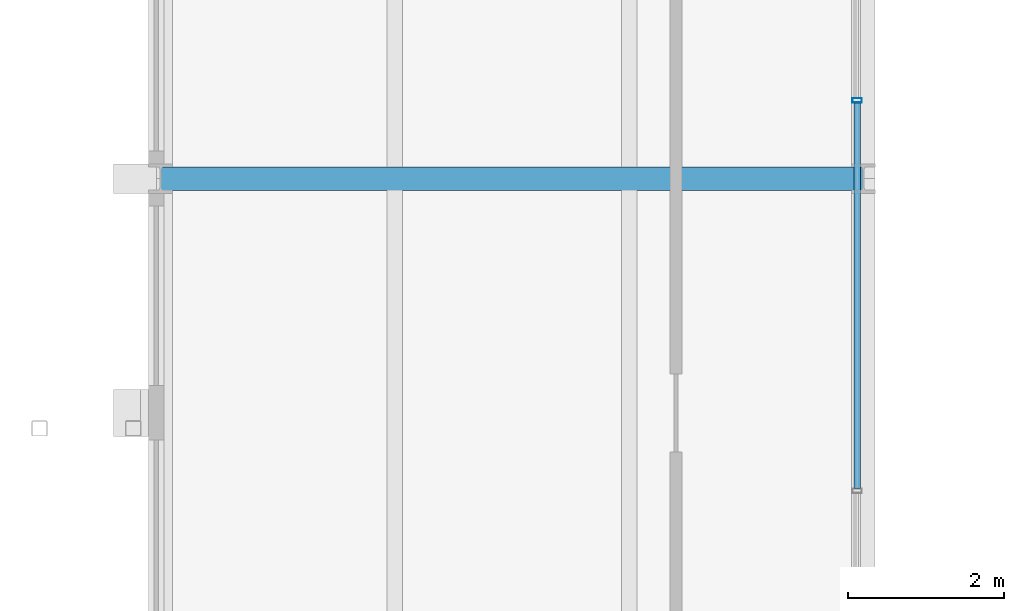
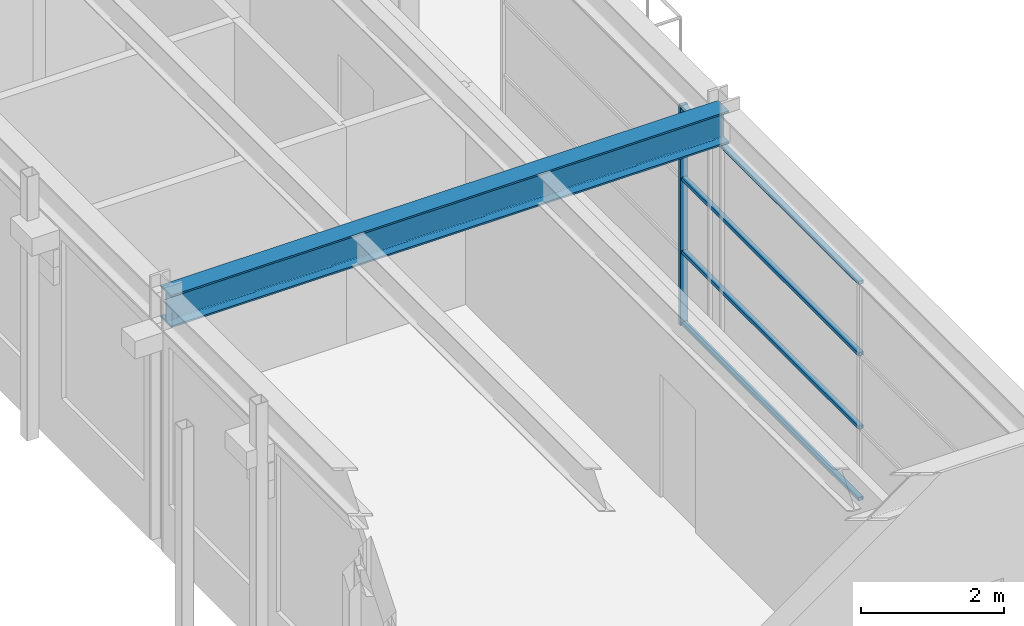
# One storey, part 36 of 153: 5 members, 1 beam, 1 element without a shape of its own.
"""IFC4 building model written with IfcOpenShell, lengths in metres."""

from ifc_helpers import new_model, si_unit, direction, frame, origin, origin_2d, place, context, subcontext, project, spatial, hollow_rectangle, i_section, extrude, material, material_profile, profile_set, type_object, element, aggregate, save


model = new_model("IFC4")

# Units and contexts
model_context = context("Model", 3, precision=1e-05, world=origin(), true_north=direction((0.0, 1.0)))
body_context = subcontext(model_context, "Body", "Model", "MODEL_VIEW")
ifc_project = project(units=[si_unit("LENGTHUNIT", "METRE"), si_unit("AREAUNIT", "SQUARE_METRE"), si_unit("VOLUMEUNIT", "CUBIC_METRE"), si_unit("PLANEANGLEUNIT", "RADIAN"), si_unit("MASSUNIT", "GRAM", prefix="KILO")], contexts=[model_context])

# Site, building, storey
site_placement = place(None, origin())
site = spatial("IfcSite", under=ifc_project, at=site_placement, CompositionType="ELEMENT")
building_placement = place(site_placement, origin())
building = spatial("IfcBuilding", under=site, at=building_placement, Name="Kallimachos Central Library", CompositionType="ELEMENT")
storey_placement = place(building_placement, frame((0.0, 0.0, 5.39990234375)))
storey = spatial("IfcBuildingStorey", under=building, at=storey_placement, Name="L01", CompositionType="ELEMENT", Elevation=5.39990234375)

# Curtain wall, members
ifc_material_1 = material(Name="Aluminium and laminated glass", Category="aluminium")
curtain_wall_type = type_object("IfcCurtainWallType", Name="Atrium glazed screen", PredefinedType="NOTDEFINED", material=ifc_material_1)
curtain_wall_placement = place(storey_placement, origin())
curtain_wall = element("IfcCurtainWall", 1, at=curtain_wall_placement, inside=storey, type_object=curtain_wall_type, Name="L01 atrium screen W", PredefinedType="NOTDEFINED")
ifc_material_2 = material(Name="Anodised aluminium", Category="aluminium")
ifc_material_profile_1 = material_profile(ifc_material_2, hollow_rectangle(XDim=0.06005859375, YDim=0.1201171875, WallThickness=0.00390625, at=origin_2d()), Name="ALU MULLION 60x120")
ifc_profile_set_1 = profile_set([ifc_material_profile_1], Name="Anodised aluminium")
member_type_1 = type_object("IfcMemberType", Name="Atrium screen mullion", PredefinedType="MULLION", material=ifc_profile_set_1)
member_1_placement = place(storey_placement, frame((74.419921875, 67.0, 0.0), z_axis=(0.0, 0.0, 1.0), x_axis=(0.0, 1.0, 0.0)))
member_1 = element("IfcMember", 2, at=member_1_placement, type_object=member_type_1, Name="CW mullion 3", PredefinedType="MULLION", context=body_context, shape_type="SweptSolid", body=[
    extrude(hollow_rectangle(XDim=0.06005859375, YDim=0.1201171875, WallThickness=0.00390625, at=origin_2d()), origin(), (0.0, 0.0, 1.0), 3.75),
])
ifc_material_3 = material(Name="Anodised aluminium", Category="aluminium")
ifc_material_profile_2 = material_profile(ifc_material_3, hollow_rectangle(XDim=0.06005859375, YDim=0.080078125, WallThickness=0.00390625, at=origin_2d()), Name="ALU TRANSOM 60x80")
ifc_profile_set_2 = profile_set([ifc_material_profile_2], Name="Anodised aluminium")
member_type_2 = type_object("IfcMemberType", Name="Atrium screen transom", PredefinedType="USERDEFINED", material=ifc_profile_set_2)
member_2_placement = place(storey_placement, frame((74.419921875, 62.030029296875, 0.030029296875), z_axis=(0.0, 1.0, 0.0), x_axis=(0.0, 0.0, 1.0)))
member_2 = element("IfcMember", 3, at=member_2_placement, type_object=member_type_2, Name="CW transom 2.1", ObjectType="TRANSOM", PredefinedType="USERDEFINED", context=body_context, shape_type="SweptSolid", body=[
    extrude(hollow_rectangle(XDim=0.06005859375, YDim=0.080078125, WallThickness=0.00390625, at=origin_2d()), origin(), (0.0, 0.0, 1.0), 4.93994140625),
])
member_3_placement = place(storey_placement, frame((74.419921875, 62.030029296875, 1.25), z_axis=(0.0, 1.0, 0.0), x_axis=(0.0, 0.0, 1.0)))
member_3 = element("IfcMember", 4, at=member_3_placement, type_object=member_type_2, Name="CW transom 2.2", ObjectType="TRANSOM", PredefinedType="USERDEFINED", context=body_context, shape_type="SweptSolid", body=[
    extrude(hollow_rectangle(XDim=0.06005859375, YDim=0.080078125, WallThickness=0.00390625, at=origin_2d()), origin(), (0.0, 0.0, 1.0), 4.93994140625),
])
member_4_placement = place(storey_placement, frame((74.419921875, 62.030029296875, 2.5), z_axis=(0.0, 1.0, 0.0), x_axis=(0.0, 0.0, 1.0)))
member_4 = element("IfcMember", 5, at=member_4_placement, type_object=member_type_2, Name="CW transom 2.3", ObjectType="TRANSOM", PredefinedType="USERDEFINED", context=body_context, shape_type="SweptSolid", body=[
    extrude(hollow_rectangle(XDim=0.06005859375, YDim=0.080078125, WallThickness=0.00390625, at=origin_2d()), origin(), (0.0, 0.0, 1.0), 4.93994140625),
])
member_5_placement = place(storey_placement, frame((74.419921875, 62.030029296875, 3.72021484375), z_axis=(0.0, 1.0, 0.0), x_axis=(0.0, 0.0, 1.0)))
member_5 = element("IfcMember", 6, at=member_5_placement, type_object=member_type_2, Name="CW transom 2.4", ObjectType="TRANSOM", PredefinedType="USERDEFINED", context=body_context, shape_type="SweptSolid", body=[
    extrude(hollow_rectangle(XDim=0.06005859375, YDim=0.080078125, WallThickness=0.00390625, at=origin_2d()), origin(), (0.0, 0.0, 1.0), 4.93994140625),
])
aggregate(curtain_wall, [member_1, member_2, member_3, member_4, member_5])

# Beam
ifc_material_4 = material(Name="Steel S355J2", Category="steel")
ifc_material_profile_3 = material_profile(ifc_material_4, i_section(OverallWidth=0.300048828125, OverallDepth=0.550048828125, WebThickness=0.014892578125, FlangeThickness=0.029052734375, FilletRadius=0.027099609375, at=origin_2d()), Name="HEB 550")
ifc_profile_set_3 = profile_set([ifc_material_profile_3], Name="Steel S355J2")
beam_type = type_object("IfcBeamType", Name="HEB 550 beam", PredefinedType="BEAM", material=ifc_profile_set_3)
beam_placement = place(storey_placement, frame((65.5, 66.0, 4.025146484375), z_axis=(1.0, 0.0, 0.0), x_axis=(0.0, 1.0, 0.0)))
element("IfcBeam", 7, at=beam_placement, inside=storey, type_object=beam_type, Name="V4-BEM-L01-022", PredefinedType="BEAM", context=body_context, shape_type="SweptSolid", body=[
    extrude(i_section(OverallWidth=0.300048828125, OverallDepth=0.550048828125, WebThickness=0.014892578125, FlangeThickness=0.029052734375, FilletRadius=0.027099609375, at=origin_2d()), origin(), (0.0, 0.0, 1.0), 9.0),
])

save(model, "model.ifc")
